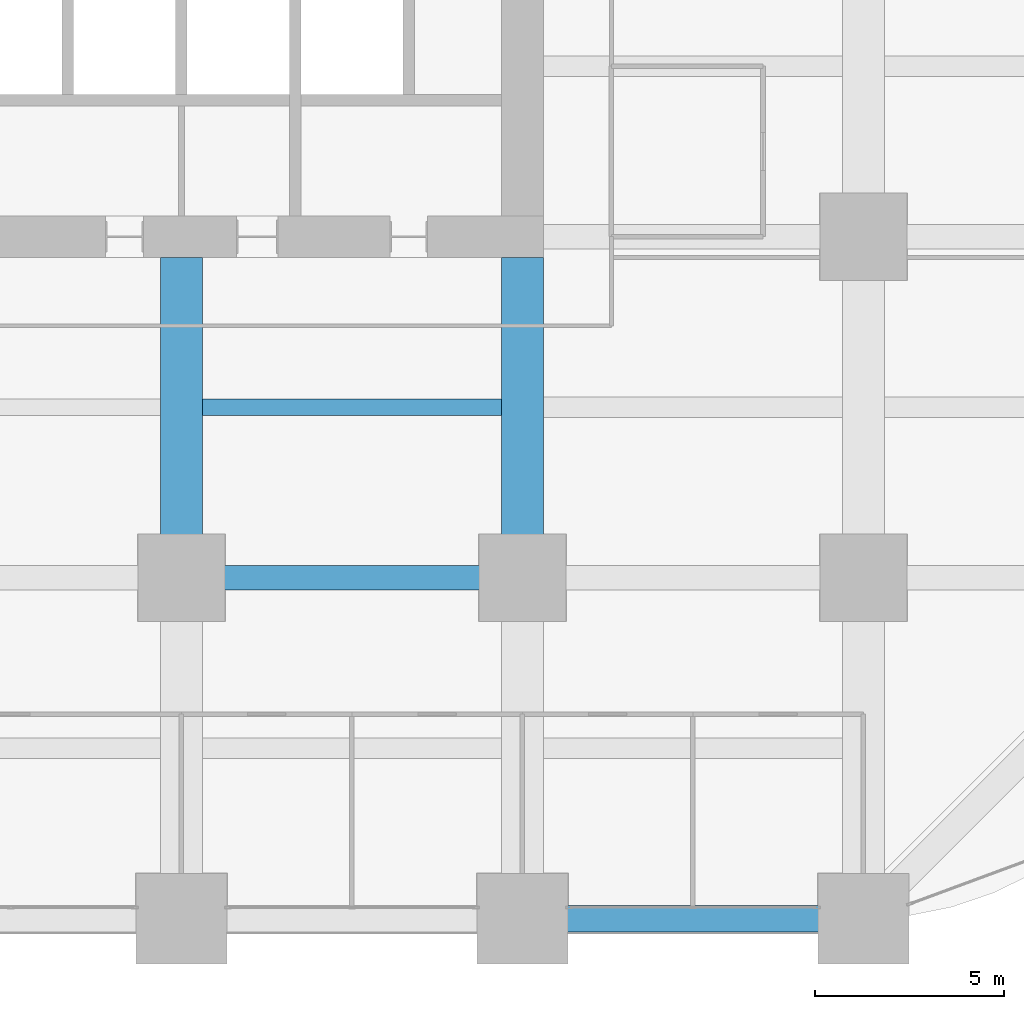
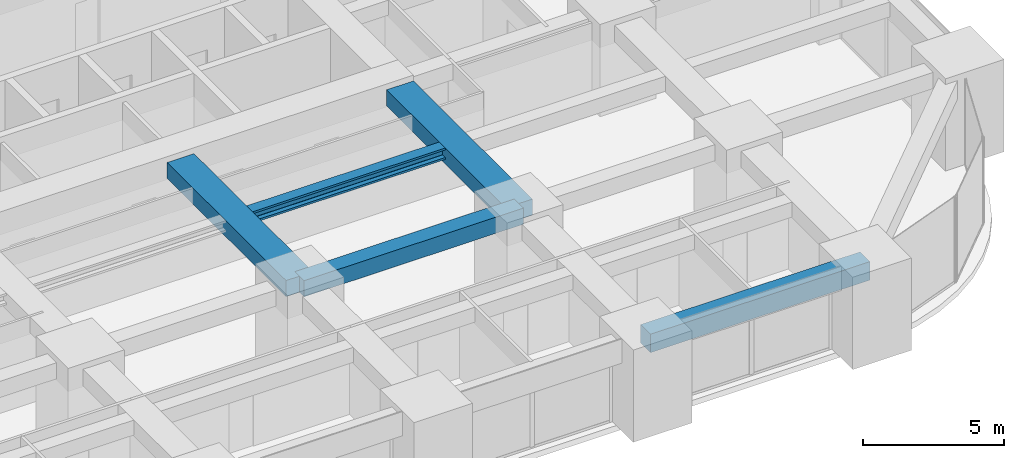
# One storey, part 14 of 44: 5 beams.
"""IFC4 building model written with IfcOpenShell, lengths in metres."""

from ifc_helpers import new_model, si_unit, direction, frame, origin, origin_2d, place, context, subcontext, project, spatial, rectangle, i_section, extrude, material, material_profile, profile_set, type_object, element, save


model = new_model("IFC4")

# Units and contexts
model_context = context("Model", 3, precision=1e-05, world=origin(), true_north=direction((0.0, 1.0)))
body_context = subcontext(model_context, "Body", "Model", "MODEL_VIEW")
ifc_project = project(units=[si_unit("LENGTHUNIT", "METRE"), si_unit("AREAUNIT", "SQUARE_METRE"), si_unit("VOLUMEUNIT", "CUBIC_METRE"), si_unit("PLANEANGLEUNIT", "RADIAN"), si_unit("MASSUNIT", "GRAM", prefix="KILO")], contexts=[model_context])

# Site, building, storey
site_placement = place(None, origin())
site = spatial("IfcSite", under=ifc_project, at=site_placement, CompositionType="ELEMENT")
building_placement = place(site_placement, origin())
building = spatial("IfcBuilding", under=site, at=building_placement, Name="Zorevar Civic Tower", CompositionType="ELEMENT")
storey_placement = place(building_placement, frame((0.0, 0.0, 43.800048828125)))
storey = spatial("IfcBuildingStorey", under=building, at=storey_placement, Name="L10", CompositionType="ELEMENT", Elevation=43.800048828125)

# Beams
ifc_material_1 = material(Name="Concrete C50/60", Category="concrete")
ifc_material_profile_1 = material_profile(ifc_material_1, rectangle(XDim=1.10009765625, YDim=0.699951171875, at=origin_2d()), Name="RC 1100x700")
ifc_profile_set_1 = profile_set([ifc_material_profile_1], Name="Concrete C50/60")
beam_type_1 = type_object("IfcBeamType", Name="Beam RC 1100x700", PredefinedType="BEAM", material=ifc_profile_set_1)
for number, where, z_axis, x_axis, name in (
    (1, (36.0, 9.0, 3.39990234375), (0.0, 1.0, 0.0), (-1.0, 0.0, 0.0), "Girder L11"),
    (2, (45.0, 9.0, 3.39990234375), (0.0, 1.0, 0.0), (-1.0, 0.0, 0.0), "Girder L11"),
):
    element("IfcBeam", number, at=place(storey_placement, frame(where, z_axis=z_axis, x_axis=x_axis)), inside=storey, type_object=beam_type_1, Name=name, PredefinedType="BEAM", context=body_context, shape_type="SweptSolid", body=[
        extrude(rectangle(XDim=1.10009765625, YDim=0.699951171875, at=origin_2d()), origin(), (0.0, 0.0, 1.0), 8.449951171875),
    ])
ifc_material_2 = material(Name="Concrete C50/60", Category="concrete")
ifc_material_profile_2 = material_profile(ifc_material_2, rectangle(XDim=0.64990234375, YDim=0.699951171875, at=origin_2d()), Name="RC 650x700")
ifc_profile_set_2 = profile_set([ifc_material_profile_2], Name="Concrete C50/60")
beam_type_2 = type_object("IfcBeamType", Name="Beam RC 650x700", PredefinedType="BEAM", material=ifc_profile_set_2)
beam_1_placement = place(storey_placement, frame((36.0, 9.0, 3.39990234375), z_axis=(1.0, 0.0, 0.0), x_axis=(0.0, 1.0, 0.0)))
element("IfcBeam", 3, at=beam_1_placement, inside=storey, type_object=beam_type_2, Name="Girder L11", PredefinedType="BEAM", context=body_context, shape_type="SweptSolid", body=[
    extrude(rectangle(XDim=0.64990234375, YDim=0.699951171875, at=origin_2d()), origin(), (0.0, 0.0, 1.0), 9.0),
])
ifc_material_3 = material(Name="Steel S460M (HISTAR 460)", Category="steel")
ifc_material_profile_3 = material_profile(ifc_material_3, i_section(OverallWidth=0.431884765625, OverallDepth=0.498046875, WebThickness=0.0556640625, FlangeThickness=0.0888671875, FilletRadius=0.014892578125, at=origin_2d()), Name="HD 400x744")
ifc_profile_set_3 = profile_set([ifc_material_profile_3], Name="Steel S460M (HISTAR 460)")
beam_type_3 = type_object("IfcBeamType", Name="Core bay beam HD 400x744", PredefinedType="BEAM", material=ifc_profile_set_3)
beam_2_placement = place(storey_placement, frame((36.550048828125, 13.5, 3.5009765625), z_axis=(1.0, 0.0, 0.0), x_axis=(0.0, 1.0, 0.0)))
element("IfcBeam", 4, at=beam_2_placement, inside=storey, type_object=beam_type_3, Name="Secondary beam L11", PredefinedType="BEAM", context=body_context, shape_type="SweptSolid", body=[
    extrude(i_section(OverallWidth=0.431884765625, OverallDepth=0.498046875, WebThickness=0.0556640625, FlangeThickness=0.0888671875, FilletRadius=0.014892578125, at=origin_2d()), origin(), (0.0, 0.0, 1.0), 7.89990234375),
])
ifc_material_4 = material(Name="Concrete C50/60", Category="concrete")
ifc_material_profile_4 = material_profile(ifc_material_4, rectangle(XDim=0.699951171875, YDim=0.800048828125, at=origin_2d()), Name="RC 700x800")
ifc_profile_set_4 = profile_set([ifc_material_profile_4], Name="Concrete C50/60")
beam_type_4 = type_object("IfcBeamType", Name="Edge beam RC 700x800", PredefinedType="SPANDREL", material=ifc_profile_set_4)
beam_3_placement = place(storey_placement, frame((45.0, 0.0, 3.349853515625), z_axis=(1.0, 0.0, 0.0), x_axis=(0.0, 1.0, 0.0)))
element("IfcBeam", 5, at=beam_3_placement, inside=storey, type_object=beam_type_4, Name="Edge beam L11", PredefinedType="SPANDREL", context=body_context, shape_type="SweptSolid", body=[
    extrude(rectangle(XDim=0.699951171875, YDim=0.800048828125, at=origin_2d()), origin(), (0.0, 0.0, 1.0), 9.0),
])

save(model, "model.ifc")
